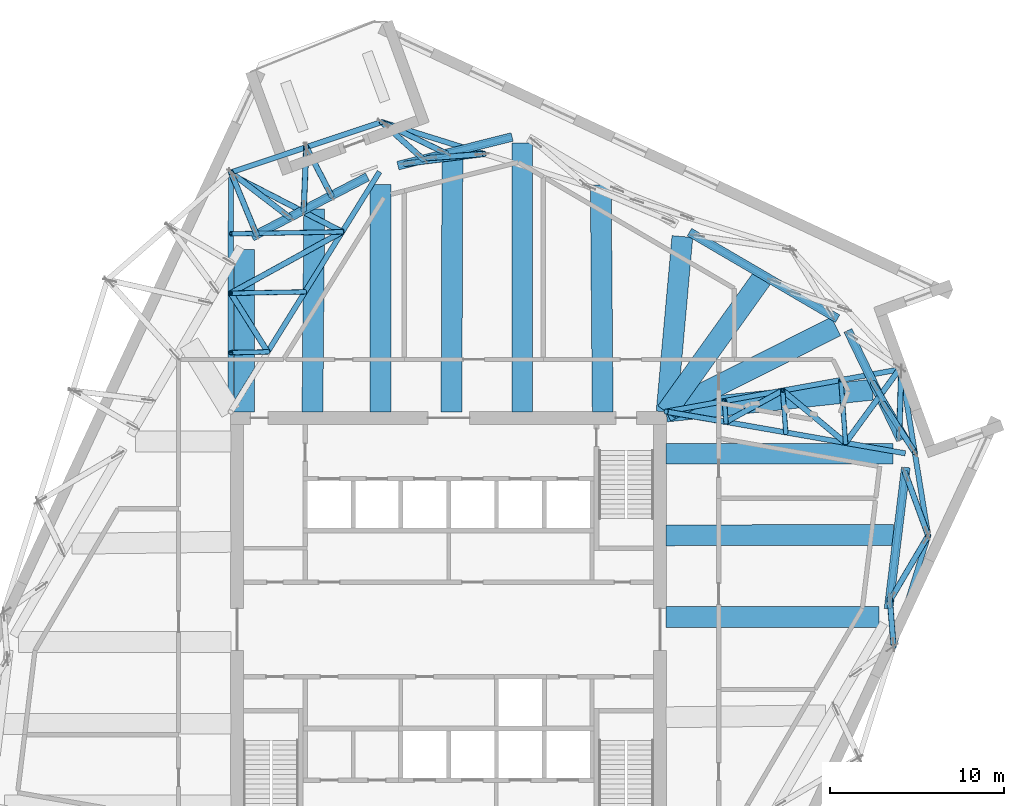
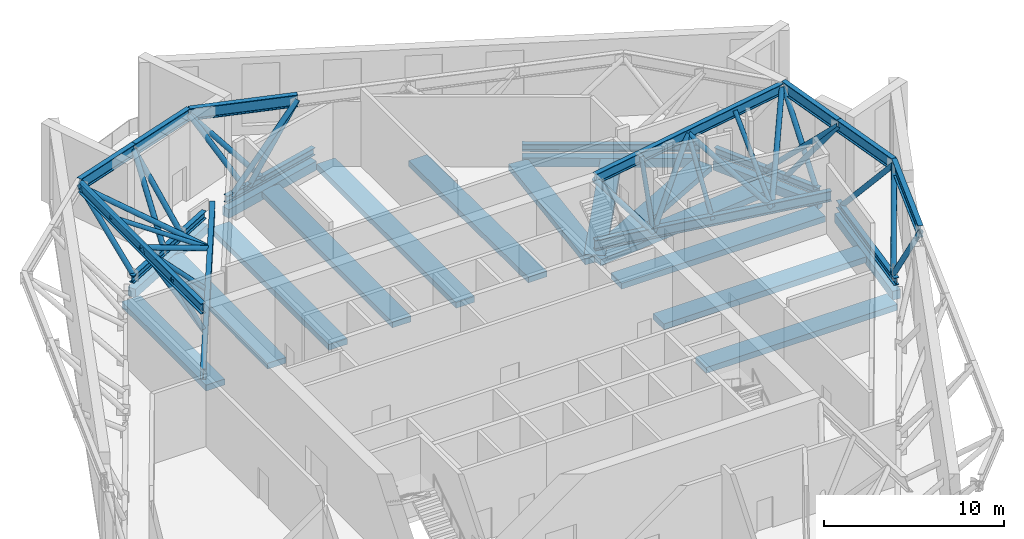
# One storey, part 3 of 15: 33 beams, 27 members.
"""IFC4 building model written with IfcOpenShell, lengths in metres."""

import ifcopenshell
import ifcopenshell.guid

model = None  # the IFC model being written
_history = None  # IfcOwnerHistory: only IFC2X3 demands one
_inside = {}  # id of a spatial element -> (the spatial element, [elements in it])
_under = {}  # id of a project, library or spatial element -> (it, [spatial elements below it])
_declared = {}  # id of a project -> (the project, [libraries it declares])
_typed = {}  # id of a type object -> (the type object, [elements of that type])
_made_of = {}  # id of a material, layer set ... -> (it, [elements and type objects made of it])


def new_model(schema):
    """Start an empty IFC model of exactly this schema.

    Asked for "IFC4X3", IfcOpenShell would pick the latest addendum, in which some entities
    have other attributes; the version numbers below select the first issue.
    IFC2X3 requires an IfcOwnerHistory on every rooted entity: one is made here for all.
    """
    global model, _history
    if schema == "IFC4X3":
        model = ifcopenshell.file(schema_version=(4, 3, 0, 0))
    else:
        model = ifcopenshell.file(schema=schema)
    _inside.clear()
    _under.clear()
    _declared.clear()
    _typed.clear()
    _made_of.clear()
    _history = None
    if model.schema == "IFC2X3":
        org = make("IfcOrganization", Name="unknown")
        user = make(
            "IfcPersonAndOrganization",
            ThePerson=make("IfcPerson", FamilyName="unknown"),
            TheOrganization=org,
        )
        app = make(
            "IfcApplication",
            ApplicationDeveloper=org,
            Version="unknown",
            ApplicationFullName="unknown",
            ApplicationIdentifier="unknown",
        )
        _history = make(
            "IfcOwnerHistory",
            OwningUser=user,
            OwningApplication=app,
            ChangeAction="ADDED",
            CreationDate=0,
        )
    return model


def make(cls, **values):
    """One entity of the class cls with the attributes given. An attribute that is None is left unset."""
    return model.create_entity(
        cls, **{name: value for name, value in values.items() if value is not None}
    )


def rooted(cls, **values):
    """An entity with a GlobalId (a new one), such as an element, a storey or a relation."""
    return make(cls, GlobalId=ifcopenshell.guid.new(), OwnerHistory=_history, **values)


def si_unit(unit_type, name, prefix=None):
    """IfcSIUnit, for example si_unit("LENGTHUNIT", "METRE", prefix="MILLI")."""
    return make("IfcSIUnit", UnitType=unit_type, Prefix=prefix, Name=name)


def assignment(units):
    """IfcUnitAssignment: the units of a project."""
    return None if units is None else make("IfcUnitAssignment", Units=units)


def point(xyz):
    """IfcCartesianPoint."""
    return None if xyz is None else make("IfcCartesianPoint", Coordinates=xyz)


def direction(xyz):
    """IfcDirection."""
    return None if xyz is None else make("IfcDirection", DirectionRatios=xyz)


def frame(location, z_axis=None, x_axis=None):
    """IfcAxis2Placement3D, a coordinate frame: its origin and axes. An axis left out is left unset."""
    return make(
        "IfcAxis2Placement3D",
        Location=point(location),
        Axis=direction(z_axis),
        RefDirection=direction(x_axis),
    )


def frame_2d(location, x_axis=None):
    """IfcAxis2Placement2D, a coordinate frame in the plane: its origin and x axis."""
    return make(
        "IfcAxis2Placement2D", Location=point(location), RefDirection=direction(x_axis)
    )


def origin():
    """The frame at (0, 0, 0) with its axes left unset."""
    return frame((0.0, 0.0, 0.0))


def origin_2d():
    """The frame at (0, 0) in the plane with its x axis left unset."""
    return frame_2d((0.0, 0.0))


def place(relative_to, where):
    """IfcLocalPlacement: puts the frame where relative to a parent placement (None: the world)."""
    return make(
        "IfcLocalPlacement", PlacementRelTo=relative_to, RelativePlacement=where
    )


def context(
    kind, dimensions, precision=None, world=None, true_north=None, identifier=None
):
    """IfcGeometricRepresentationContext, for example the 3D "Model" context."""
    return make(
        "IfcGeometricRepresentationContext",
        ContextIdentifier=identifier,
        ContextType=kind,
        CoordinateSpaceDimension=dimensions,
        Precision=precision,
        WorldCoordinateSystem=world,
        TrueNorth=true_north,
    )


def subcontext(parent, identifier, kind, view, scale=None):
    """IfcGeometricRepresentationSubContext, for example "Body" below "Model"."""
    return make(
        "IfcGeometricRepresentationSubContext",
        ContextIdentifier=identifier,
        ContextType=kind,
        ParentContext=parent,
        TargetScale=scale,
        TargetView=view,
    )


def project(units=None, contexts=None):
    """IfcProject with its units and contexts."""
    return rooted(
        "IfcProject",
        Name="project",
        RepresentationContexts=contexts,
        UnitsInContext=assignment(units),
    )


def spatial(cls, under=None, at=None, **own):
    """A site, building, storey or space (cls), placed at a placement, below another one or the project."""
    s = rooted(cls, ObjectPlacement=at, **own)
    if under is not None:
        _under.setdefault(under.id(), (under, []))[1].append(s)
    return s


def profile(cls, at=None, kind="AREA", **sizes):
    """A parametric profile (cls). Its sizes go by their IFC names, for example OverallWidth=200.0."""
    return make(cls, ProfileType=kind, Position=at, **sizes)


def rectangle(**sizes):
    """IfcRectangleProfileDef."""
    return profile("IfcRectangleProfileDef", **sizes)


def hollow_circle(**sizes):
    """IfcCircleHollowProfileDef."""
    return profile("IfcCircleHollowProfileDef", **sizes)


def i_section(**sizes):
    """IfcIShapeProfileDef."""
    return profile("IfcIShapeProfileDef", **sizes)


def extrude(swept, where, along, depth):
    """IfcExtrudedAreaSolid: the profile swept, set in the frame where, extruded along a direction by depth."""
    return make(
        "IfcExtrudedAreaSolid",
        SweptArea=swept,
        Position=where,
        ExtrudedDirection=direction(along),
        Depth=depth,
    )


def shape(context_of_items, identifier, shape_type, items):
    """IfcShapeRepresentation: the items that make up one representation, for example the "Body"."""
    return make(
        "IfcShapeRepresentation",
        ContextOfItems=context_of_items,
        RepresentationIdentifier=identifier,
        RepresentationType=shape_type,
        Items=items,
    )


def material(Name=None, Category=None):
    """IfcMaterial."""
    return make("IfcMaterial", Name=Name, Category=Category)


def material_profile(
    of_material, cross_section, Name=None, Category=None, Priority=None
):
    """IfcMaterialProfile: a cross section and its material."""
    return make(
        "IfcMaterialProfile",
        Name=Name,
        Material=of_material,
        Profile=cross_section,
        Priority=Priority,
        Category=Category,
    )


def profile_set(profiles, Name=None, composite=None):
    """IfcMaterialProfileSet."""
    return make(
        "IfcMaterialProfileSet",
        Name=Name,
        MaterialProfiles=profiles,
        CompositeProfile=composite,
    )


def made_of(thing, what):
    """Note that an element or type object is made of a material, layer set ...; save() writes the relation."""
    if what is not None:
        _made_of.setdefault(what.id(), (what, []))[1].append(thing)
    return thing


def type_object(cls, material=None, **own):
    """A type object (cls), such as IfcWallType, which elements share."""
    return made_of(rooted(cls, **own), material)


def element(
    cls,
    number,
    at=None,
    inside=None,
    cuts=None,
    type_object=None,
    material=None,
    context=None,
    identifier="Body",
    shape_type=None,
    held_by="IfcProductDefinitionShape",
    body=None,
    shapes=None,
    **own,
):
    """One element of the class cls, such as IfcWall. Its Tag is "e" and its number.

    at: its placement. inside: the storey or other place that contains it. cuts: it is an
    opening in that element (IfcRelVoidsElement). A single representation is given by context,
    identifier, shape_type and body (its items); several are given by shapes. held_by: the class
    of the entity that holds the representations. save() writes the other relations.
    """
    e = rooted(cls, Tag="e%d" % number, ObjectPlacement=at, **own)
    if body is not None:
        shapes = [shape(context, identifier, shape_type, body)]
    if shapes is not None:
        e.Representation = make(held_by, Representations=shapes)
    if inside is not None:
        _inside.setdefault(inside.id(), (inside, []))[1].append(e)
    if cuts is not None:
        rooted(
            "IfcRelVoidsElement", RelatingBuildingElement=cuts, RelatedOpeningElement=e
        )
    if type_object is not None:
        _typed.setdefault(type_object.id(), (type_object, []))[1].append(e)
    return made_of(e, material)


def aggregate(whole, parts):
    """IfcRelAggregates: a whole, such as a stair, and the parts it consists of."""
    return rooted("IfcRelAggregates", RelatingObject=whole, RelatedObjects=parts)


def save(model, path):
    """Write the relations noted so far, then the file.

    IfcRelAggregates (storeys below a building ...), IfcRelContainedInSpatialStructure (elements
    in a storey), IfcRelDefinesByType, IfcRelAssociatesMaterial and IfcRelDeclares: one each for
    every whole, place, type object, material and project.
    """
    for whole, parts in _under.values():
        aggregate(whole, parts)
    for where, things in _inside.values():
        rooted(
            "IfcRelContainedInSpatialStructure",
            RelatedElements=things,
            RelatingStructure=where,
        )
    for kind, things in _typed.values():
        rooted("IfcRelDefinesByType", RelatedObjects=things, RelatingType=kind)
    for what, things in _made_of.values():
        rooted("IfcRelAssociatesMaterial", RelatedObjects=things, RelatingMaterial=what)
    for by, libraries in _declared.values():
        rooted("IfcRelDeclares", RelatingContext=by, RelatedDefinitions=libraries)
    model.write(path)


model = new_model("IFC4")

# Units and contexts
model_context = context("Model", 3, precision=1e-05, world=origin(), true_north=direction((0.0, 1.0)))
body_context = subcontext(model_context, "Body", "Model", "MODEL_VIEW")
ifc_project = project(units=[si_unit("LENGTHUNIT", "METRE"), si_unit("AREAUNIT", "SQUARE_METRE"), si_unit("VOLUMEUNIT", "CUBIC_METRE"), si_unit("PLANEANGLEUNIT", "RADIAN"), si_unit("MASSUNIT", "GRAM", prefix="KILO")], contexts=[model_context])

# Site, building, storey
site_placement = place(None, origin())
site = spatial("IfcSite", under=ifc_project, at=site_placement, CompositionType="ELEMENT")
building_placement = place(site_placement, origin())
building = spatial("IfcBuilding", under=site, at=building_placement, Name="Dilmun Exchange Tower", CompositionType="ELEMENT")
storey_placement = place(building_placement, frame((0.0, 0.0, 290.89990234375)))
storey = spatial("IfcBuildingStorey", under=building, at=storey_placement, Name="L69", CompositionType="ELEMENT", Elevation=290.89990234375)

# Beams
ifc_material_1 = material(Name="Concrete C40/50", Category="concrete")
ifc_material_profile_1 = material_profile(ifc_material_1, rectangle(XDim=1.199951171875, YDim=0.39990234375, at=origin_2d()), Name="1200 x 400")
ifc_profile_set_1 = profile_set([ifc_material_profile_1], Name="Concrete C40/50")
beam_type_1 = type_object("IfcBeamType", Name="RC band beam 1200 x 400 C40/50", PredefinedType="BEAM", material=ifc_profile_set_1)
beam_1_placement = place(storey_placement, frame((-3.9150390625, 25.615234375, -0.659912109375), z_axis=(0.0, -1.0, 0.0), x_axis=(1.0, 0.0, 0.0)))
element("IfcBeam", 1, at=beam_1_placement, inside=storey, type_object=beam_type_1, Name="Band beam 1", PredefinedType="BEAM", context=body_context, shape_type="SweptSolid", body=[
    extrude(rectangle(XDim=1.199951171875, YDim=0.39990234375, at=origin_2d()), origin(), (0.0, 0.0, 1.0), 13.09228515625),
])
beam_2_placement = place(storey_placement, frame((-11.76904296875, 21.877685546875, -0.659912109375), z_axis=(0.0, -1.0, 0.0), x_axis=(1.0, 0.0, 0.0)))
element("IfcBeam", 2, at=beam_2_placement, inside=storey, type_object=beam_type_1, Name="Band beam 2", PredefinedType="BEAM", context=body_context, shape_type="SweptSolid", body=[
    extrude(rectangle(XDim=1.199951171875, YDim=0.39990234375, at=origin_2d()), origin(), (0.0, 0.0, 1.0), 9.354736328125),
])
beam_3_placement = place(storey_placement, frame((24.773681640625, 0.721923828125, -0.659912109375), z_axis=(-1.0, 0.0, 0.0), x_axis=(0.0, -1.0, 0.0)))
element("IfcBeam", 3, at=beam_3_placement, inside=storey, type_object=beam_type_1, Name="Band beam 12", PredefinedType="BEAM", context=body_context, shape_type="SweptSolid", body=[
    extrude(rectangle(XDim=1.199951171875, YDim=0.39990234375, at=origin_2d()), origin(), (0.0, 0.0, 1.0), 12.250732421875),
])
beam_4_placement = place(storey_placement, frame((25.5732421875, 10.1220703125, -0.659912109375), z_axis=(-1.0, 0.0, 0.0), x_axis=(0.0, -1.0, 0.0)))
element("IfcBeam", 4, at=beam_4_placement, inside=storey, type_object=beam_type_1, Name="Band beam 13", PredefinedType="BEAM", context=body_context, shape_type="SweptSolid", body=[
    extrude(rectangle(XDim=1.199951171875, YDim=0.39990234375, at=origin_2d()), origin(), (0.0, 0.0, 1.0), 13.05029296875),
])
beam_5_placement = place(storey_placement, frame((22.302734375, 17.453125, -0.659912109375), z_axis=(-0.893443377394, -0.449175835716, 0.0), x_axis=(0.449175835716, -0.893443377394, 0.0)))
element("IfcBeam", 5, at=beam_5_placement, inside=storey, type_object=beam_type_1, Name="Band beam 14", PredefinedType="BEAM", context=body_context, shape_type="SweptSolid", body=[
    extrude(rectangle(XDim=1.199951171875, YDim=0.39990234375, at=origin_2d()), origin(), (0.0, 0.0, 1.0), 10.94287109375),
])
beam_6_placement = place(storey_placement, frame((13.456787109375, 22.625732421875, -0.659912109375), z_axis=(-0.089632924375, -0.995974868593, 0.0), x_axis=(0.995974868593, -0.089632924375, 0.0)))
element("IfcBeam", 6, at=beam_6_placement, inside=storey, type_object=beam_type_1, Name="Band beam 15", PredefinedType="BEAM", context=body_context, shape_type="SweptSolid", body=[
    extrude(rectangle(XDim=1.199951171875, YDim=0.39990234375, at=origin_2d()), origin(), (0.0, 0.0, 1.0), 10.143310546875),
])
beam_7_placement = place(storey_placement, frame((4.239990234375, 28.01171875, -0.659912109375), z_axis=(0.0, -1.0, 0.0), x_axis=(1.0, 0.0, 0.0)))
element("IfcBeam", 7, at=beam_7_placement, inside=storey, type_object=beam_type_1, Name="Band beam 16", PredefinedType="BEAM", context=body_context, shape_type="SweptSolid", body=[
    extrude(rectangle(XDim=1.199951171875, YDim=0.39990234375, at=origin_2d()), origin(), (0.0, 0.0, 1.0), 15.48876953125),
])
beam_8_placement = place(storey_placement, frame((-7.739013671875, 24.216796875, -0.559814453125), z_axis=(-0.008810046818, -0.999961190784, 0.0), x_axis=(0.999961190784, -0.008810046818, 0.0)))
element("IfcBeam", 8, at=beam_8_placement, inside=storey, type_object=beam_type_1, Name="Band beam 17", PredefinedType="BEAM", context=body_context, shape_type="SweptSolid", body=[
    extrude(rectangle(XDim=1.199951171875, YDim=0.39990234375, at=origin_2d()), origin(), (0.0, 0.0, 1.0), 11.6943359375),
])
beam_9_placement = place(storey_placement, frame((25.6201171875, 5.448974609375, -0.559814453125), z_axis=(-0.999997897774, -0.002050474756, 0.0), x_axis=(0.002050474756, -0.999997897774, 0.0)))
element("IfcBeam", 9, at=beam_9_placement, inside=storey, type_object=beam_type_1, Name="Band beam 28", PredefinedType="BEAM", context=body_context, shape_type="SweptSolid", body=[
    extrude(rectangle(XDim=1.199951171875, YDim=0.39990234375, at=origin_2d()), origin(), (0.0, 0.0, 1.0), 13.09716796875),
])
beam_10_placement = place(storey_placement, frame((24.3857421875, 13.804931640625, -0.559814453125), z_axis=(-0.994425543871, -0.105441157505, 0.0), x_axis=(0.105441157505, -0.994425543871, 0.0)))
element("IfcBeam", 10, at=beam_10_placement, inside=storey, type_object=beam_type_1, Name="Band beam 29", PredefinedType="BEAM", context=body_context, shape_type="SweptSolid", body=[
    extrude(rectangle(XDim=1.199951171875, YDim=0.39990234375, at=origin_2d()), origin(), (0.0, 0.0, 1.0), 11.928955078125),
])
beam_11_placement = place(storey_placement, frame((18.01611328125, 20.195556640625, -0.559814453125), z_axis=(-0.581600762294, -0.81347437163, 0.0), x_axis=(0.81347437163, -0.581600762294, 0.0)))
element("IfcBeam", 11, at=beam_11_placement, inside=storey, type_object=beam_type_1, Name="Band beam 30", PredefinedType="BEAM", context=body_context, shape_type="SweptSolid", body=[
    extrude(rectangle(XDim=1.199951171875, YDim=0.39990234375, at=origin_2d()), origin(), (0.0, 0.0, 1.0), 9.425537109375),
])
beam_12_placement = place(storey_placement, frame((8.757080078125, 25.607421875, -0.559814453125), z_axis=(0.008582734208, -0.999963167658, 0.0), x_axis=(0.999963167658, 0.008582734208, 0.0)))
element("IfcBeam", 12, at=beam_12_placement, inside=storey, type_object=beam_type_1, Name="Band beam 31", PredefinedType="BEAM", context=body_context, shape_type="SweptSolid", body=[
    extrude(rectangle(XDim=1.199951171875, YDim=0.39990234375, at=origin_2d()), origin(), (0.0, 0.0, 1.0), 13.0849609375),
])
beam_13_placement = place(storey_placement, frame((0.216796875, 27.26513671875, -0.559814453125), z_axis=(-0.003676445742, -0.999993241851, 0.0), x_axis=(0.999993241851, -0.003676445742, 0.0)))
element("IfcBeam", 13, at=beam_13_placement, inside=storey, type_object=beam_type_1, Name="Band beam 32", PredefinedType="BEAM", context=body_context, shape_type="SweptSolid", body=[
    extrude(rectangle(XDim=1.199951171875, YDim=0.39990234375, at=origin_2d()), origin(), (0.0, 0.0, 1.0), 14.7421875),
])
ifc_material_profile_2 = material_profile(ifc_material_1, rectangle(XDim=0.5, YDim=0.60009765625, at=origin_2d()), Name="500 x 600")
ifc_profile_set_2 = profile_set([ifc_material_profile_2], Name="Concrete C40/50")
beam_type_2 = type_object("IfcBeamType", Name="RC ring beam 500 x 600 C40/50", PredefinedType="SPANDREL", material=ifc_profile_set_2)
beam_14_placement = place(storey_placement, frame((-4.677490234375, 26.060302734375, -0.659912109375), z_axis=(-0.887179966585, -0.461423565599, 0.0), x_axis=(0.461423565599, -0.887179966585, 0.0)))
element("IfcBeam", 14, at=beam_14_placement, inside=storey, type_object=beam_type_2, Name="Ring beam 1", PredefinedType="SPANDREL", context=body_context, shape_type="SweptSolid", body=[
    extrude(rectangle(XDim=0.5, YDim=0.60009765625, at=origin_2d()), origin(), (0.0, 0.0, 1.0), 7.48828125),
])
beam_15_placement = place(storey_placement, frame((25.32421875, 1.181640625, -0.659912109375), z_axis=(0.121108645076, 0.992639257781, 0.0), x_axis=(-0.992639257781, 0.121108645076, 0.0)))
element("IfcBeam", 15, at=beam_15_placement, inside=storey, type_object=beam_type_2, Name="Ring beam 12", PredefinedType="SPANDREL", context=body_context, shape_type="SweptSolid", body=[
    extrude(rectangle(XDim=0.5, YDim=0.60009765625, at=origin_2d()), origin(), (0.0, 0.0, 1.0), 8.216796875),
])
beam_16_placement = place(storey_placement, frame((26.033447265625, 10.910888671875, -0.659912109375), z_axis=(-0.435439794363, 0.900217854458, 0.0), x_axis=(-0.900217854458, -0.435439794363, 0.0)))
element("IfcBeam", 16, at=beam_16_placement, inside=storey, type_object=beam_type_2, Name="Ring beam 13", PredefinedType="SPANDREL", context=body_context, shape_type="SweptSolid", body=[
    extrude(rectangle(XDim=0.5, YDim=0.60009765625, at=origin_2d()), origin(), (0.0, 0.0, 1.0), 7.0068359375),
])
beam_17_placement = place(storey_placement, frame((22.392822265625, 17.8955078125, -0.659912109375), z_axis=(-0.863333071594, 0.504634528637, 0.0), x_axis=(-0.504634528637, -0.863333071594, 0.0)))
element("IfcBeam", 17, at=beam_17_placement, inside=storey, type_object=beam_type_2, Name="Ring beam 14", PredefinedType="SPANDREL", context=body_context, shape_type="SweptSolid", body=[
    extrude(rectangle(XDim=0.5, YDim=0.60009765625, at=origin_2d()), origin(), (0.0, 0.0, 1.0), 9.878662109375),
])
beam_18_placement = place(storey_placement, frame((3.6552734375, 28.359130859375, -0.659912109375), z_axis=(-0.969853854997, -0.243687299522, 0.0), x_axis=(0.243687299522, -0.969853854997, 0.0)))
element("IfcBeam", 18, at=beam_18_placement, inside=storey, type_object=beam_type_2, Name="Ring beam 16", PredefinedType="SPANDREL", context=body_context, shape_type="SweptSolid", body=[
    extrude(rectangle(XDim=0.5, YDim=0.60009765625, at=origin_2d()), origin(), (0.0, 0.0, 1.0), 6.78271484375),
])
ifc_material_2 = material(Name="Steel S355", Category="steel")
ifc_material_profile_3 = material_profile(ifc_material_2, i_section(OverallWidth=0.300048828125, OverallDepth=0.5, WebThickness=0.014404296875, FlangeThickness=0.028076171875, FilletRadius=0.027099609375, at=origin_2d()), Name="HEB 500")
ifc_profile_set_3 = profile_set([ifc_material_profile_3], Name="Steel S355")
beam_type_3 = type_object("IfcBeamType", Name="belt bottom chord HEB 500", PredefinedType="BEAM", material=ifc_profile_set_3)
beam_19_placement = place(storey_placement, frame((-4.677490234375, 26.060302734375, 0.25), z_axis=(-0.887179966585, -0.461423565599, 0.0), x_axis=(0.461423565599, -0.887179966585, 0.0)))
element("IfcBeam", 19, at=beam_19_placement, inside=storey, type_object=beam_type_3, Name="Belt bottom chord 1", PredefinedType="BEAM", context=body_context, shape_type="SweptSolid", body=[
    extrude(i_section(OverallWidth=0.300048828125, OverallDepth=0.5, WebThickness=0.014404296875, FlangeThickness=0.028076171875, FilletRadius=0.027099609375, at=origin_2d()), origin(), (0.0, 0.0, 1.0), 7.48828125),
])
beam_20_placement = place(storey_placement, frame((25.32421875, 1.181640625, 0.25), z_axis=(0.121108645076, 0.992639257781, 0.0), x_axis=(-0.992639257781, 0.121108645076, 0.0)))
element("IfcBeam", 20, at=beam_20_placement, inside=storey, type_object=beam_type_3, Name="Belt bottom chord 12", PredefinedType="BEAM", context=body_context, shape_type="SweptSolid", body=[
    extrude(i_section(OverallWidth=0.300048828125, OverallDepth=0.5, WebThickness=0.014404296875, FlangeThickness=0.028076171875, FilletRadius=0.027099609375, at=origin_2d()), origin(), (0.0, 0.0, 1.0), 8.216796875),
])
beam_21_placement = place(storey_placement, frame((26.033447265625, 10.910888671875, 0.25), z_axis=(-0.435439794363, 0.900217854458, 0.0), x_axis=(-0.900217854458, -0.435439794363, 0.0)))
element("IfcBeam", 21, at=beam_21_placement, inside=storey, type_object=beam_type_3, Name="Belt bottom chord 13", PredefinedType="BEAM", context=body_context, shape_type="SweptSolid", body=[
    extrude(i_section(OverallWidth=0.300048828125, OverallDepth=0.5, WebThickness=0.014404296875, FlangeThickness=0.028076171875, FilletRadius=0.027099609375, at=origin_2d()), origin(), (0.0, 0.0, 1.0), 7.0068359375),
])
beam_22_placement = place(storey_placement, frame((22.392822265625, 17.8955078125, 0.25), z_axis=(-0.863333071594, 0.504634528637, 0.0), x_axis=(-0.504634528637, -0.863333071594, 0.0)))
element("IfcBeam", 22, at=beam_22_placement, inside=storey, type_object=beam_type_3, Name="Belt bottom chord 14", PredefinedType="BEAM", context=body_context, shape_type="SweptSolid", body=[
    extrude(i_section(OverallWidth=0.300048828125, OverallDepth=0.5, WebThickness=0.014404296875, FlangeThickness=0.028076171875, FilletRadius=0.027099609375, at=origin_2d()), origin(), (0.0, 0.0, 1.0), 9.878662109375),
])
beam_23_placement = place(storey_placement, frame((3.6552734375, 28.359130859375, 0.25), z_axis=(-0.969853854997, -0.243687299522, 0.0), x_axis=(0.243687299522, -0.969853854997, 0.0)))
element("IfcBeam", 23, at=beam_23_placement, inside=storey, type_object=beam_type_3, Name="Belt bottom chord 16", PredefinedType="BEAM", context=body_context, shape_type="SweptSolid", body=[
    extrude(i_section(OverallWidth=0.300048828125, OverallDepth=0.5, WebThickness=0.014404296875, FlangeThickness=0.028076171875, FilletRadius=0.027099609375, at=origin_2d()), origin(), (0.0, 0.0, 1.0), 6.78271484375),
])
ifc_material_profile_4 = material_profile(ifc_material_2, i_section(OverallWidth=0.300048828125, OverallDepth=0.699951171875, WebThickness=0.01708984375, FlangeThickness=0.031982421875, FilletRadius=0.027099609375, at=origin_2d()), Name="HEB 700")
ifc_profile_set_4 = profile_set([ifc_material_profile_4], Name="Steel S355")
beam_type_4 = type_object("IfcBeamType", Name="outrigger chord HEB 700", PredefinedType="BEAM", material=ifc_profile_set_4)
beam_24_placement = place(storey_placement, frame((-12.564208984375, 12.527099609375, 0.35009765625), z_axis=(0.527492441193, 0.849559723907, 0.0), x_axis=(-0.849559723907, 0.527492441193, 0.0)))
element("IfcBeam", 24, at=beam_24_placement, inside=storey, type_object=beam_type_4, Name="Outrigger bottom chord 1", PredefinedType="BEAM", context=body_context, shape_type="SweptSolid", body=[
    extrude(i_section(OverallWidth=0.300048828125, OverallDepth=0.699951171875, WebThickness=0.01708984375, FlangeThickness=0.031982421875, FilletRadius=0.027099609375, at=origin_2d()), origin(), (0.0, 0.0, 1.0), 16.273681640625),
])
beam_25_placement = place(storey_placement, frame((-12.550048828125, 12.52294921875, 4.800048828125), z_axis=(0.000946242279, 0.999999552313, 0.0), x_axis=(-0.999999552313, 0.000946242279, 0.0)))
element("IfcBeam", 25, at=beam_25_placement, inside=storey, type_object=beam_type_4, Name="Outrigger top chord 1", PredefinedType="BEAM", context=body_context, shape_type="SweptSolid", body=[
    extrude(i_section(OverallWidth=0.300048828125, OverallDepth=0.699951171875, WebThickness=0.01708984375, FlangeThickness=0.031982421875, FilletRadius=0.027099609375, at=origin_2d()), origin(), (0.0, 0.0, 1.0), 13.674560546875),
])
beam_26_placement = place(storey_placement, frame((12.5234375, 12.5546875, 0.35009765625), z_axis=(0.985011260386, -0.172490048736, 0.0), x_axis=(0.172490048736, 0.985011260386, 0.0)))
element("IfcBeam", 26, at=beam_26_placement, inside=storey, type_object=beam_type_4, Name="Outrigger bottom chord 4", PredefinedType="BEAM", context=body_context, shape_type="SweptSolid", body=[
    extrude(i_section(OverallWidth=0.300048828125, OverallDepth=0.699951171875, WebThickness=0.01708984375, FlangeThickness=0.031982421875, FilletRadius=0.027099609375, at=origin_2d()), origin(), (0.0, 0.0, 1.0), 13.979736328125),
])
beam_27_placement = place(storey_placement, frame((12.5234375, 12.545166015625, 4.800048828125), z_axis=(0.98401401085, 0.178091062243, 0.0), x_axis=(-0.178091062243, 0.98401401085, 0.0)))
element("IfcBeam", 27, at=beam_27_placement, inside=storey, type_object=beam_type_4, Name="Outrigger top chord 4", PredefinedType="BEAM", context=body_context, shape_type="SweptSolid", body=[
    extrude(i_section(OverallWidth=0.300048828125, OverallDepth=0.699951171875, WebThickness=0.01708984375, FlangeThickness=0.031982421875, FilletRadius=0.027099609375, at=origin_2d()), origin(), (0.0, 0.0, 1.0), 13.632080078125),
])

# Members
ifc_material_profile_5 = material_profile(ifc_material_2, hollow_circle(Radius=0.136474609375, WallThickness=0.01611328125, at=origin_2d()), Name="CHS 273x16")
ifc_profile_set_5 = profile_set([ifc_material_profile_5], Name="Steel S355")
member_type_1 = type_object("IfcMemberType", Name="outrigger post CHS 273x16", PredefinedType="POST", material=ifc_profile_set_5)
member_1_placement = place(storey_placement, frame((-12.546875, 15.941650390625, 4.800048828125), z_axis=(0.431510093561, 0.008462923042, -0.90206841098), x_axis=(-0.019608570069, 0.999807733507, 0.0)))
element("IfcMember", 28, at=member_1_placement, inside=storey, type_object=member_type_1, Name="Outrigger post 1.1", PredefinedType="POST", context=body_context, shape_type="SweptSolid", body=[
    extrude(hollow_circle(Radius=0.136474609375, WallThickness=0.01611328125, at=origin_2d()), origin(), (0.0, 0.0, 1.0), 4.93310546875),
])
member_2_placement = place(storey_placement, frame((-12.543701171875, 19.3603515625, 4.800048828125), z_axis=(0.692434993859, 0.012862447017, -0.721365605457), x_axis=(-0.018572470448, 0.999827516796, 0.0)))
element("IfcMember", 29, at=member_2_placement, inside=storey, type_object=member_type_1, Name="Outrigger post 1.2", PredefinedType="POST", context=body_context, shape_type="SweptSolid", body=[
    extrude(hollow_circle(Radius=0.136474609375, WallThickness=0.01611328125, at=origin_2d()), origin(), (0.0, 0.0, 1.0), 6.168701171875),
])
member_3_placement = place(storey_placement, frame((-12.540283203125, 22.77880859375, 4.800048828125), z_axis=(0.821543085569, 0.015009351086, -0.569948837996), x_axis=(-0.018266658255, 0.999833150679, 0.0)))
element("IfcMember", 30, at=member_3_placement, inside=storey, type_object=member_type_1, Name="Outrigger post 1.3", PredefinedType="POST", context=body_context, shape_type="SweptSolid", body=[
    extrude(hollow_circle(Radius=0.136474609375, WallThickness=0.01611328125, at=origin_2d()), origin(), (0.0, 0.0, 1.0), 7.8076171875),
])
member_4_placement = place(storey_placement, frame((15.876953125, 13.152099609375, 4.800048828125), z_axis=(0.019330745136, -0.260356008467, -0.965319155071), x_axis=(0.997255009067, 0.074043547256, 0.0)))
element("IfcMember", 31, at=member_4_placement, inside=storey, type_object=member_type_1, Name="Outrigger post 4.1", PredefinedType="POST", context=body_context, shape_type="SweptSolid", body=[
    extrude(hollow_circle(Radius=0.136474609375, WallThickness=0.01611328125, at=origin_2d()), origin(), (0.0, 0.0, 1.0), 4.60986328125),
])
member_5_placement = place(storey_placement, frame((19.23046875, 13.759033203125, 4.800048828125), z_axis=(0.035195017843, -0.475952350886, -0.878766561952), x_axis=(0.997277118073, 0.073745167767, 0.0)))
element("IfcMember", 32, at=member_5_placement, inside=storey, type_object=member_type_1, Name="Outrigger post 4.2", PredefinedType="POST", context=body_context, shape_type="SweptSolid", body=[
    extrude(hollow_circle(Radius=0.136474609375, WallThickness=0.01611328125, at=origin_2d()), origin(), (0.0, 0.0, 1.0), 5.06396484375),
])
member_6_placement = place(storey_placement, frame((22.583984375, 14.365966796875, 4.800048828125), z_axis=(0.046553089518, -0.630358592034, -0.774906997842), x_axis=(0.997284063668, 0.07365118026, 0.0)))
element("IfcMember", 33, at=member_6_placement, inside=storey, type_object=member_type_1, Name="Outrigger post 4.3", PredefinedType="POST", context=body_context, shape_type="SweptSolid", body=[
    extrude(hollow_circle(Radius=0.136474609375, WallThickness=0.01611328125, at=origin_2d()), origin(), (0.0, 0.0, 1.0), 5.74267578125),
])

# Beams
ifc_material_profile_6 = material_profile(ifc_material_2, i_section(OverallWidth=0.302978515625, OverallDepth=0.81396484375, WebThickness=0.02099609375, FlangeThickness=0.0400390625, FilletRadius=0.030029296875, at=origin_2d()), Name="HEM 800")
ifc_profile_set_6 = profile_set([ifc_material_profile_6], Name="Steel S355")
beam_type_5 = type_object("IfcBeamType", Name="transfer chord HEM 800", PredefinedType="BEAM", material=ifc_profile_set_6)
beam_28_placement = place(storey_placement, frame((25.618408203125, -0.978515625, 4.843017578125), z_axis=(0.297503680541, 0.954720671225, 0.0), x_axis=(-0.954720671225, 0.297503680541, 0.0)))
element("IfcBeam", 34, at=beam_28_placement, inside=storey, type_object=beam_type_5, Name="Transfer chord 22", PredefinedType="BEAM", context=body_context, shape_type="SweptSolid", body=[
    extrude(i_section(OverallWidth=0.302978515625, OverallDepth=0.81396484375, WebThickness=0.02099609375, FlangeThickness=0.0400390625, FilletRadius=0.030029296875, at=origin_2d()), origin(), (0.0, 0.0, 1.0), 6.687255859375),
])
beam_29_placement = place(storey_placement, frame((27.60791015625, 5.406005859375, 4.843017578125), z_axis=(-0.159358879639, 0.987220718725, 0.0), x_axis=(-0.987220718725, -0.159358879639, 0.0)))
element("IfcBeam", 35, at=beam_29_placement, inside=storey, type_object=beam_type_5, Name="Transfer chord 23", PredefinedType="BEAM", context=body_context, shape_type="SweptSolid", body=[
    extrude(i_section(OverallWidth=0.302978515625, OverallDepth=0.81396484375, WebThickness=0.02099609375, FlangeThickness=0.0400390625, FilletRadius=0.030029296875, at=origin_2d()), origin(), (0.0, 0.0, 1.0), 4.8564453125),
])
beam_30_placement = place(storey_placement, frame((26.833984375, 10.200439453125, 4.843017578125), z_axis=(-0.159350971282, 0.987221995273, 0.0), x_axis=(-0.987221995273, -0.159350971282, 0.0)))
element("IfcBeam", 36, at=beam_30_placement, inside=storey, type_object=beam_type_5, Name="Transfer chord 24", PredefinedType="BEAM", context=body_context, shape_type="SweptSolid", body=[
    extrude(i_section(OverallWidth=0.302978515625, OverallDepth=0.81396484375, WebThickness=0.02099609375, FlangeThickness=0.0400390625, FilletRadius=0.030029296875, at=origin_2d()), origin(), (0.0, 0.0, 1.0), 4.856689453125),
])
beam_31_placement = place(storey_placement, frame((2.051025390625, 27.37939453125, 4.843017578125), z_axis=(-0.954726099481, 0.297486260136, 0.0), x_axis=(-0.297486260136, -0.954726099481, 0.0)))
element("IfcBeam", 37, at=beam_31_placement, inside=storey, type_object=beam_type_5, Name="Transfer chord 30", PredefinedType="BEAM", context=body_context, shape_type="SweptSolid", body=[
    extrude(i_section(OverallWidth=0.302978515625, OverallDepth=0.81396484375, WebThickness=0.02099609375, FlangeThickness=0.0400390625, FilletRadius=0.030029296875, at=origin_2d()), origin(), (0.0, 0.0, 1.0), 6.18701171875),
])
for number, where, z_axis, x_axis, name in (
    (38, (-3.85595703125, 29.219970703125, 4.843017578125), (-0.948544491683, -0.316643880878, 0.0), (0.316643880878, -0.948544491683, 0.0), "Transfer chord 31"),
    (39, (-8.196533203125, 27.77099609375, 4.843017578125), (-0.948544491683, -0.316643880878, 0.0), (0.316643880878, -0.948544491683, 0.0), "Transfer chord 32"),
):
    element("IfcBeam", number, at=place(storey_placement, frame(where, z_axis=z_axis, x_axis=x_axis)), inside=storey, type_object=beam_type_5, Name=name, PredefinedType="BEAM", context=body_context, shape_type="SweptSolid", body=[
        extrude(i_section(OverallWidth=0.302978515625, OverallDepth=0.81396484375, WebThickness=0.02099609375, FlangeThickness=0.0400390625, FilletRadius=0.030029296875, at=origin_2d()), origin(), (0.0, 0.0, 1.0), 4.575927734375),
    ])

# Members
ifc_material_profile_7 = material_profile(ifc_material_2, hollow_circle(Radius=0.161865234375, WallThickness=0.01611328125, at=origin_2d()), Name="CHS 323.9x16")
ifc_profile_set_7 = profile_set([ifc_material_profile_7], Name="Steel S355")
member_type_2 = type_object("IfcMemberType", Name="truss diagonal CHS 323.9x16", PredefinedType="BRACE", material=ifc_profile_set_7)
member_7_placement = place(storey_placement, frame((-12.537109375, 26.322021484375, 4.843017578125), z_axis=(0.245949503436, -0.595959254403, -0.764422271295), x_axis=(0.924374991848, 0.381485090725, 0.0)))
element("IfcMember", 40, at=member_7_placement, inside=storey, type_object=member_type_2, Name="Truss diagonal 1", PredefinedType="BRACE", context=body_context, shape_type="SweptSolid", body=[
    extrude(hollow_circle(Radius=0.161865234375, WallThickness=0.01611328125, at=origin_2d()), origin(), (0.0, 0.0, 1.0), 6.008544921875),
])
member_8_placement = place(storey_placement, frame((-12.537109375, 26.322021484375, 4.843017578125), z_axis=(0.539295036216, -0.413972770843, -0.733339899988), x_axis=(0.608906892831, 0.793241700784, 0.0)))
element("IfcMember", 41, at=member_8_placement, inside=storey, type_object=member_type_2, Name="Truss diagonal 2", PredefinedType="BRACE", context=body_context, shape_type="SweptSolid", body=[
    extrude(hollow_circle(Radius=0.161865234375, WallThickness=0.01611328125, at=origin_2d()), origin(), (0.0, 0.0, 1.0), 6.26318359375),
])
member_9_placement = place(storey_placement, frame((25.618408203125, -0.978515625, 4.843017578125), z_axis=(-0.041459258445, 0.513456969973, -0.85711321882), x_axis=(-0.996755949259, -0.08048339963, 0.0)))
element("IfcMember", 42, at=member_9_placement, inside=storey, type_object=member_type_2, Name="Truss diagonal 43", PredefinedType="BRACE", context=body_context, shape_type="SweptSolid", body=[
    extrude(hollow_circle(Radius=0.161865234375, WallThickness=0.01611328125, at=origin_2d()), origin(), (0.0, 0.0, 1.0), 5.358642578125),
])
member_10_placement = place(storey_placement, frame((27.60791015625, 5.406005859375, 4.843017578125), z_axis=(-0.221065222287, 0.604103858547, -0.765629607306), x_axis=(-0.939096959505, -0.343652296149, 0.0)))
element("IfcMember", 43, at=member_10_placement, inside=storey, type_object=member_type_2, Name="Truss diagonal 45", PredefinedType="BRACE", context=body_context, shape_type="SweptSolid", body=[
    extrude(hollow_circle(Radius=0.161865234375, WallThickness=0.01611328125, at=origin_2d()), origin(), (0.0, 0.0, 1.0), 5.9990234375),
])
member_11_placement = place(storey_placement, frame((27.60791015625, 5.406005859375, 4.843017578125), z_axis=(-0.355788979033, -0.603587486703, -0.713509879605), x_axis=(0.861473844548, -0.507801944817, 0.0)))
element("IfcMember", 44, at=member_11_placement, inside=storey, type_object=member_type_2, Name="Truss diagonal 46", PredefinedType="BRACE", context=body_context, shape_type="SweptSolid", body=[
    extrude(hollow_circle(Radius=0.161865234375, WallThickness=0.01611328125, at=origin_2d()), origin(), (0.0, 0.0, 1.0), 6.192138671875),
])
member_12_placement = place(storey_placement, frame((26.833984375, 10.200439453125, 4.843017578125), z_axis=(-0.319244884278, 0.493573919954, -0.808991649774), x_axis=(-0.839668277648, -0.543099607358, 0.0)))
element("IfcMember", 45, at=member_12_placement, inside=storey, type_object=member_type_2, Name="Truss diagonal 47", PredefinedType="BRACE", context=body_context, shape_type="SweptSolid", body=[
    extrude(hollow_circle(Radius=0.161865234375, WallThickness=0.01611328125, at=origin_2d()), origin(), (0.0, 0.0, 1.0), 5.677490234375),
])
member_13_placement = place(storey_placement, frame((26.833984375, 10.200439453125, 4.843017578125), z_axis=(-0.366062014252, 0.612684754529, -0.70043985701), x_axis=(-0.858448846319, -0.512899189172, 0.0)))
element("IfcMember", 46, at=member_13_placement, inside=storey, type_object=member_type_2, Name="Truss diagonal 48", PredefinedType="BRACE", context=body_context, shape_type="SweptSolid", body=[
    extrude(hollow_circle(Radius=0.161865234375, WallThickness=0.01611328125, at=origin_2d()), origin(), (0.0, 0.0, 1.0), 6.557373046875),
])
member_14_placement = place(storey_placement, frame((26.06005859375, 14.9951171875, 4.843017578125), z_axis=(-0.020616973972, -0.645457389864, -0.76351797507), x_axis=(0.999490255525, -0.03192536782, 0.0)))
element("IfcMember", 47, at=member_14_placement, inside=storey, type_object=member_type_2, Name="Truss diagonal 50", PredefinedType="BRACE", context=body_context, shape_type="SweptSolid", body=[
    extrude(hollow_circle(Radius=0.161865234375, WallThickness=0.01611328125, at=origin_2d()), origin(), (0.0, 0.0, 1.0), 6.015625),
])
member_15_placement = place(storey_placement, frame((2.051025390625, 27.37939453125, 4.843017578125), z_axis=(-0.575887032817, -0.042182531718, -0.816440297542), x_axis=(0.073052217783, -0.99732811726, 0.0)))
element("IfcMember", 48, at=member_15_placement, inside=storey, type_object=member_type_2, Name="Truss diagonal 59", PredefinedType="BRACE", context=body_context, shape_type="SweptSolid", body=[
    extrude(hollow_circle(Radius=0.161865234375, WallThickness=0.01611328125, at=origin_2d()), origin(), (0.0, 0.0, 1.0), 5.625732421875),
])
member_16_placement = place(storey_placement, frame((2.051025390625, 27.37939453125, 4.843017578125), z_axis=(-0.70101398655, -0.087283445972, -0.707785978048), x_axis=(0.123556226559, -0.992337573046, 0.0)))
element("IfcMember", 49, at=member_16_placement, inside=storey, type_object=member_type_2, Name="Truss diagonal 60", PredefinedType="BRACE", context=body_context, shape_type="SweptSolid", body=[
    extrude(hollow_circle(Radius=0.161865234375, WallThickness=0.01611328125, at=origin_2d()), origin(), (0.0, 0.0, 1.0), 6.4892578125),
])
member_17_placement = place(storey_placement, frame((-3.85595703125, 29.219970703125, 4.843017578125), z_axis=(0.602078846341, -0.29308460791, -0.742699451591), x_axis=(0.437684742695, 0.899128503615, 0.0)))
element("IfcMember", 50, at=member_17_placement, inside=storey, type_object=member_type_2, Name="Truss diagonal 61", PredefinedType="BRACE", context=body_context, shape_type="SweptSolid", body=[
    extrude(hollow_circle(Radius=0.161865234375, WallThickness=0.01611328125, at=origin_2d()), origin(), (0.0, 0.0, 1.0), 6.184326171875),
])
member_18_placement = place(storey_placement, frame((-3.85595703125, 29.219970703125, 4.843017578125), z_axis=(0.42717777488, -0.382809804989, -0.819131126166), x_axis=(0.667373769669, 0.744722936103, 0.0)))
element("IfcMember", 51, at=member_18_placement, inside=storey, type_object=member_type_2, Name="Truss diagonal 62", PredefinedType="BRACE", context=body_context, shape_type="SweptSolid", body=[
    extrude(hollow_circle(Radius=0.161865234375, WallThickness=0.01611328125, at=origin_2d()), origin(), (0.0, 0.0, 1.0), 5.607177734375),
])
member_19_placement = place(storey_placement, frame((-8.196533203125, 27.77099609375, 4.843017578125), z_axis=(0.260479433987, -0.500864614856, -0.825399964899), x_axis=(0.88719516924, 0.461394334248, 0.0)))
element("IfcMember", 52, at=member_19_placement, inside=storey, type_object=member_type_2, Name="Truss diagonal 63", PredefinedType="BRACE", context=body_context, shape_type="SweptSolid", body=[
    extrude(hollow_circle(Radius=0.161865234375, WallThickness=0.01611328125, at=origin_2d()), origin(), (0.0, 0.0, 1.0), 5.564697265625),
])
member_20_placement = place(storey_placement, frame((-8.196533203125, 27.77099609375, 4.843017578125), z_axis=(-0.025214047187, -0.618537313189, -0.785350777689), x_axis=(0.999170182708, -0.04073016065, 0.0)))
element("IfcMember", 53, at=member_20_placement, inside=storey, type_object=member_type_2, Name="Truss diagonal 64", PredefinedType="BRACE", context=body_context, shape_type="SweptSolid", body=[
    extrude(hollow_circle(Radius=0.161865234375, WallThickness=0.01611328125, at=origin_2d()), origin(), (0.0, 0.0, 1.0), 5.848388671875),
])
member_21_placement = place(storey_placement, frame((-12.543701171875, 19.3603515625, 4.800048828125), z_axis=(0.35561595521, -0.564998839016, -0.74452240014), x_axis=(0.846316613973, 0.532680193844, 0.0)))
element("IfcMember", 54, at=member_21_placement, inside=storey, type_object=member_type_2, Name="Outrigger diagonal 1.1", PredefinedType="BRACE", context=body_context, shape_type="SweptSolid", body=[
    extrude(hollow_circle(Radius=0.161865234375, WallThickness=0.01611328125, at=origin_2d()), origin(), (0.0, 0.0, 1.0), 5.976806640625),
])
member_22_placement = place(storey_placement, frame((-12.543701171875, 19.3603515625, 4.800048828125), z_axis=(0.748629341371, 0.41243390732, -0.519088028499), x_axis=(-0.482536420106, 0.87587590632, 0.0)))
element("IfcMember", 55, at=member_22_placement, inside=storey, type_object=member_type_2, Name="Outrigger diagonal 1.2", PredefinedType="BRACE", context=body_context, shape_type="SweptSolid", body=[
    extrude(hollow_circle(Radius=0.161865234375, WallThickness=0.01611328125, at=origin_2d()), origin(), (0.0, 0.0, 1.0), 8.57275390625),
])
member_23_placement = place(storey_placement, frame((-12.537109375, 26.197509765625, 4.800048828125), z_axis=(0.756586159806, -0.389615942081, -0.525144551972), x_axis=(0.457826052419, 0.889041790765, 0.0)))
element("IfcMember", 56, at=member_23_placement, inside=storey, type_object=member_type_2, Name="Outrigger diagonal 1.3", PredefinedType="BRACE", context=body_context, shape_type="SweptSolid", body=[
    extrude(hollow_circle(Radius=0.161865234375, WallThickness=0.01611328125, at=origin_2d()), origin(), (0.0, 0.0, 1.0), 8.473876953125),
])
member_24_placement = place(storey_placement, frame((12.5234375, 12.545166015625, 4.800048828125), z_axis=(0.608521972044, -0.104865498338, -0.786577546589), x_axis=(0.169825004679, 0.985474234968, 0.0)))
element("IfcMember", 57, at=member_24_placement, inside=storey, type_object=member_type_2, Name="Outrigger diagonal 4.0", PredefinedType="BRACE", context=body_context, shape_type="SweptSolid", body=[
    extrude(hollow_circle(Radius=0.161865234375, WallThickness=0.01611328125, at=origin_2d()), origin(), (0.0, 0.0, 1.0), 5.657470703125),
])
member_25_placement = place(storey_placement, frame((19.23046875, 13.759033203125, 4.800048828125), z_axis=(-0.562125976934, -0.31118513808, -0.766275535231), x_axis=(0.484325720904, -0.874887761985, 0.0)))
element("IfcMember", 58, at=member_25_placement, inside=storey, type_object=member_type_2, Name="Outrigger diagonal 4.1", PredefinedType="BRACE", context=body_context, shape_type="SweptSolid", body=[
    extrude(hollow_circle(Radius=0.161865234375, WallThickness=0.01611328125, at=origin_2d()), origin(), (0.0, 0.0, 1.0), 5.80712890625),
])
member_26_placement = place(storey_placement, frame((19.23046875, 13.759033203125, 4.800048828125), z_axis=(0.558772944988, -0.464959673258, -0.686720684262), x_axis=(0.639628551374, 0.768684145971, 0.0)))
element("IfcMember", 59, at=member_26_placement, inside=storey, type_object=member_type_2, Name="Outrigger diagonal 4.2", PredefinedType="BRACE", context=body_context, shape_type="SweptSolid", body=[
    extrude(hollow_circle(Radius=0.161865234375, WallThickness=0.01611328125, at=origin_2d()), origin(), (0.0, 0.0, 1.0), 6.47998046875),
])
member_27_placement = place(storey_placement, frame((25.9375, 14.972900390625, 4.800048828125), z_axis=(-0.44924690859, -0.615284528789, -0.647767059795), x_axis=(0.807631227125, -0.58968788437, 0.0)))
element("IfcMember", 60, at=member_27_placement, inside=storey, type_object=member_type_2, Name="Outrigger diagonal 4.3", PredefinedType="BRACE", context=body_context, shape_type="SweptSolid", body=[
    extrude(hollow_circle(Radius=0.161865234375, WallThickness=0.01611328125, at=origin_2d()), origin(), (0.0, 0.0, 1.0), 6.86962890625),
])

save(model, "model.ifc")
